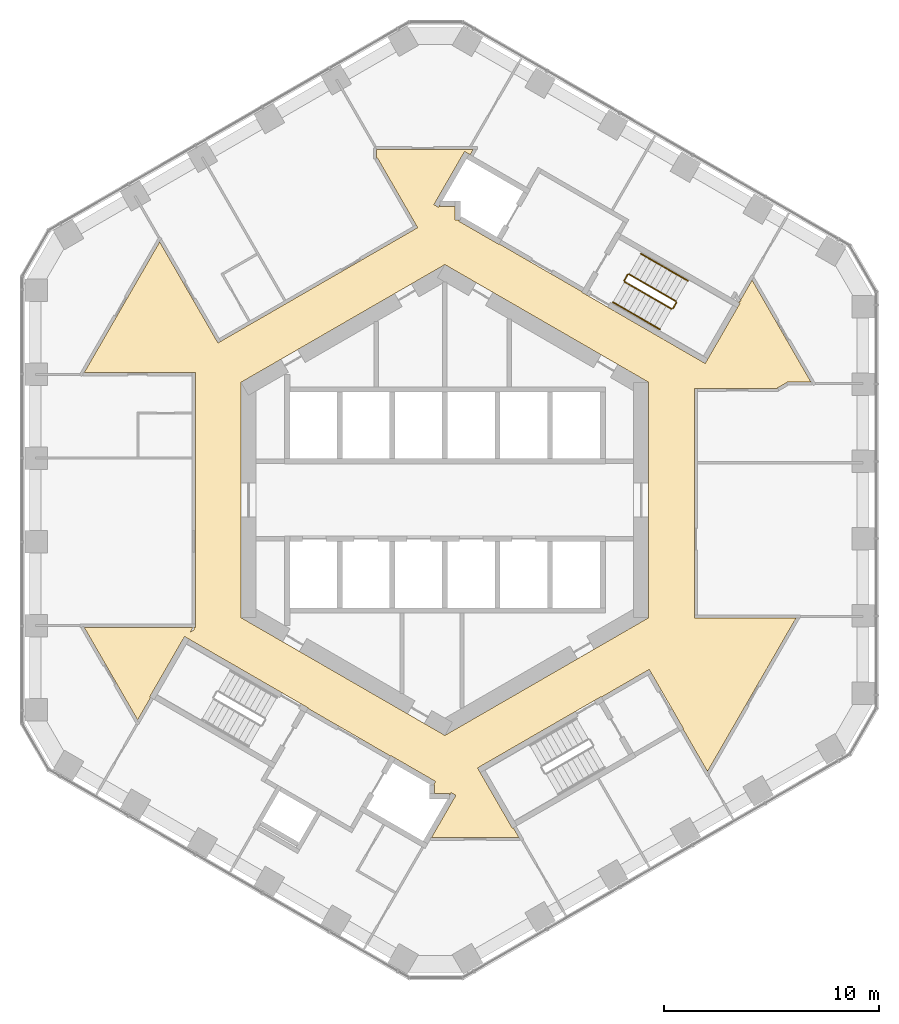
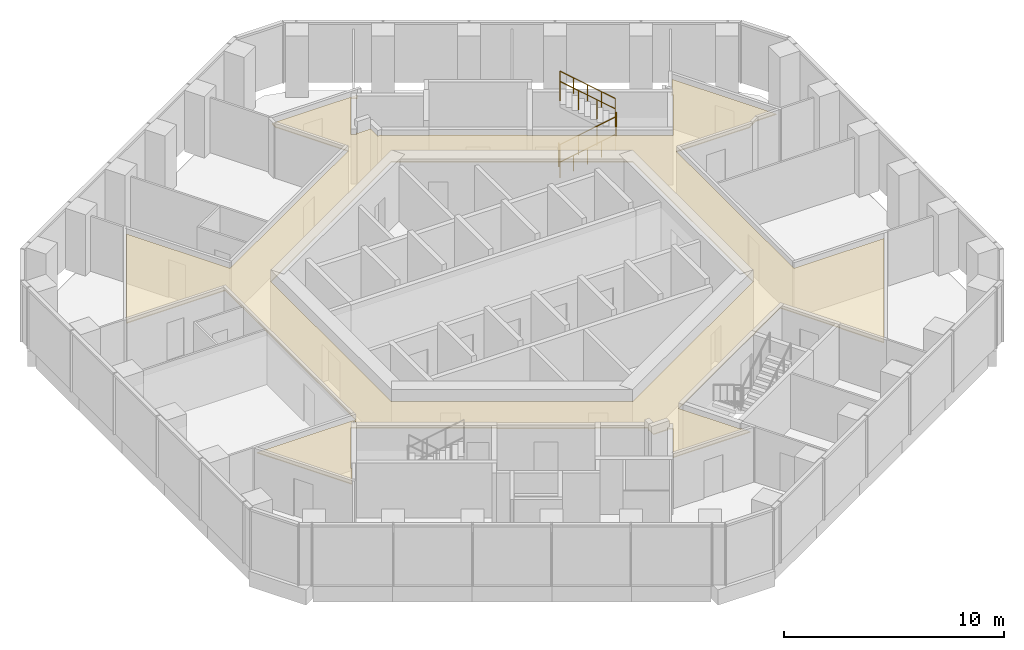
# One storey, part 19 of 19: 8 railings, 1 covering.
"""IFC4 building model written with IfcOpenShell, lengths in metres."""

from ifc_helpers import new_model, si_unit, direction, frame, origin, origin_2d, place, context, subcontext, project, spatial, polyline, circle, outline, extrude, material, layer, layer_set, type_object, element, save


model = new_model("IFC4")

# Units and contexts
model_context = context("Model", 3, precision=1e-05, world=origin(), true_north=direction((0.0, 1.0)))
body_context = subcontext(model_context, "Body", "Model", "MODEL_VIEW")
ifc_project = project(units=[si_unit("LENGTHUNIT", "METRE"), si_unit("AREAUNIT", "SQUARE_METRE"), si_unit("VOLUMEUNIT", "CUBIC_METRE"), si_unit("PLANEANGLEUNIT", "RADIAN"), si_unit("MASSUNIT", "GRAM", prefix="KILO")], contexts=[model_context])

# Site, building, storey
site_placement = place(None, origin())
site = spatial("IfcSite", under=ifc_project, at=site_placement, CompositionType="ELEMENT")
building_placement = place(site_placement, origin())
building = spatial("IfcBuilding", under=site, at=building_placement, Name="Ayvan Gate Tower", CompositionType="ELEMENT")
storey_placement = place(building_placement, frame((0.0, 0.0, 106.89990234375)))
storey = spatial("IfcBuildingStorey", under=building, at=storey_placement, Name="L28", CompositionType="ELEMENT", Elevation=106.89990234375)

# Covering
ifc_material_1 = material(Name="Plasterboard suspended ceiling")
ifc_layer = layer(ifc_material_1, 0.050048828125)
ifc_layer_set = layer_set([ifc_layer], Name="Plasterboard suspended ceiling")
covering_type = type_object("IfcCoveringType", Name="CT-SUSP-50", PredefinedType="CEILING", material=ifc_layer_set)
covering_placement = place(storey_placement, frame((0.0, 0.0, 2.7001953125)))
element("IfcCovering", 1, at=covering_placement, inside=storey, type_object=covering_type, Name="Ceiling Ring Corridor L28", PredefinedType="CEILING", context=body_context, shape_type="SweptSolid", body=[
    extrude(outline(polyline([(-11.914794921875, -6.48681640625), (-12.131103515625, -6.36181640625), (-13.756103515625, -9.17626953125), (-13.712890625, -9.201416015625), (-14.31591796875, -10.24609375), (-16.80810546875, -5.9296875), (-11.7373046875, -5.9296875), (-11.870849609375, -6.160888671875), (-11.699951171875, -6.062255859375), (-11.699951171875, -5.9296875), (-11.625, -5.9296875), (-11.625, 5.9296875), (-16.80810546875, 5.9296875), (-13.2900390625, 12.023193359375), (-10.573974609375, 7.318603515625), (-10.461181640625, 7.383544921875), (-1.267578125, 12.69140625), (-1.342529296875, 12.821533203125), (-3.1474609375, 15.947509765625), (-3.175048828125, 15.931884765625), (-3.175048828125, 16.322021484375), (1.311767578125, 16.322021484375), (1.1787109375, 16.091552734375), (1.135498046875, 16.116455078125), (0.918701171875, 16.241455078125), (-0.511474609375, 13.76416015625), (-0.294921875, 13.63916015625), (-0.215576171875, 13.776611328125), (-0.215576171875, 13.68505859375), (0.47509765625, 13.68505859375), (0.47509765625, 13.03857421875), (0.672119140625, 13.03857421875), (0.645751953125, 12.992919921875), (2.518310546875, 11.91162109375), (2.53076171875, 11.933349609375), (6.384521484375, 9.70849609375), (6.3720703125, 9.686767578125), (6.588623046875, 9.561767578125), (12.131103515625, 6.36181640625), (12.24609375, 6.56103515625), (13.631103515625, 8.959716796875), (13.756103515625, 9.176513671875), (13.681396484375, 9.219482421875), (13.7919921875, 9.283447265625), (13.744384765625, 9.365966796875), (13.7919921875, 9.33837890625), (14.31591796875, 10.24609375), (17.057373046875, 5.498046875), (15.934326171875, 5.498046875), (15.934326171875, 5.475830078125), (15.500732421875, 5.2255859375), (15.5166015625, 5.197998046875), (11.625, 5.197998046875), (11.625, -5.498046875), (16.364501953125, -5.498046875), (12.237548828125, -12.64599609375), (11.102294921875, -10.6796875), (11.123779296875, -10.667236328125), (9.623779296875, -8.069091796875), (9.52392578125, -7.89599609375), (7.2939453125, -9.183349609375), (7.281494140625, -9.16162109375), (1.522216796875, -12.48681640625), (1.647216796875, -12.703369140625), (3.147216796875, -15.30126953125), (3.190673828125, -15.2763671875), (3.447509765625, -15.720947265625), (-0.618408203125, -15.720947265625), (0.511474609375, -13.76416015625), (0.294921875, -13.63916015625), (0.215576171875, -13.776611328125), (0.215576171875, -13.68505859375), (-0.47509765625, -13.68505859375), (-0.47509765625, -13.28857421875), (-0.52783203125, -13.28857421875), (-0.42919921875, -13.117919921875), (-2.284423828125, -12.046630859375), (-2.518310546875, -11.91162109375), (-2.53076171875, -11.933349609375), (-6.384521484375, -9.70849609375), (-6.3720703125, -9.686767578125), (-11.91455078125, -6.48681640625), (-11.914794921875, -6.48681640625)]), holes=[polyline([(9.5, 5.48486328125), (8.771728515625, 5.9052734375), (0.0, 10.9697265625), (-8.771728515625, 5.9052734375), (-9.5, 5.48486328125), (-9.5, -5.48486328125), (-8.771728515625, -5.9052734375), (0.0, -10.9697265625), (8.38720703125, -6.127197265625), (8.771728515625, -5.9052734375), (9.5, -5.48486328125), (9.5, 5.48486328125)])]), origin(), (0.0, 0.0, 1.0), 0.0498046875),
])

# Railings
ifc_material_2 = material(Name="Stainless steel balustrade", Category="steel")
railing_type_1 = type_object("IfcRailingType", Name="RL-GUARD-1100", PredefinedType="GUARDRAIL", material=ifc_material_2)
railing_1_placement = place(storey_placement, frame((8.381103515625, 10.16650390625, 0.170166015625)))
element("IfcRailing", 2, at=railing_1_placement, inside=storey, type_object=railing_type_1, Name="L28 STS1 stair guard 1", PredefinedType="GUARDRAIL", context=body_context, shape_type="SweptSolid", body=[
    extrude(circle(Radius=0.02392578125, at=origin_2d()), frame((0.0, 0.0, 1.076171875), z_axis=(0.740261155115, -0.427395438142, 0.518986090067), x_axis=(0.500004791531, 0.866022637375, 0.0)), (0.0, 0.0, 1.0), 2.947998046875),
    extrude(circle(Radius=0.02099609375, at=origin_2d()), origin(), (0.0, 0.0, 1.0), 1.052001953125),
    extrude(circle(Radius=0.02099609375, at=origin_2d()), frame((0.7275390625, -0.419921875, 0.510009765625)), (0.0, 0.0, 1.0), 1.052001953125),
    extrude(circle(Radius=0.02099609375, at=origin_2d()), frame((1.454833984375, -0.840087890625, 1.02001953125)), (0.0, 0.0, 1.0), 1.052001953125),
    extrude(circle(Radius=0.02099609375, at=origin_2d()), frame((2.182373046875, -1.260009765625, 1.530029296875)), (0.0, 0.0, 1.0), 1.052001953125),
])
railing_2_placement = place(storey_placement, frame((10.6318359375, 8.9248046875, 1.7001953125)))
element("IfcRailing", 3, at=railing_2_placement, inside=storey, type_object=railing_type_1, Name="L28 STS1 stair guard 2", PredefinedType="GUARDRAIL", context=body_context, shape_type="SweptSolid", body=[
    extrude(circle(Radius=0.02392578125, at=origin_2d()), frame((0.0, 0.0, 1.076171875), z_axis=(0.499949632511, 0.866054481515, 0.0), x_axis=(-0.866054481515, 0.499949632511, 0.0)), (0.0, 0.0, 1.0), 0.31005859375),
    extrude(circle(Radius=0.02099609375, at=origin_2d()), origin(), (0.0, 0.0, 1.0), 1.052001953125),
    extrude(circle(Radius=0.02099609375, at=origin_2d()), frame((0.155029296875, 0.2685546875, 0.0)), (0.0, 0.0, 1.0), 1.052001953125),
])
railing_3_placement = place(storey_placement, frame((10.7685546875, 9.261474609375, 1.8701171875)))
element("IfcRailing", 4, at=railing_3_placement, inside=storey, type_object=railing_type_1, Name="L28 STS1 stair guard 3", PredefinedType="GUARDRAIL", context=body_context, shape_type="SweptSolid", body=[
    extrude(circle(Radius=0.02392578125, at=origin_2d()), frame((0.0, 0.0, 1.076171875), z_axis=(-0.740261155115, 0.427395438142, 0.518986090067), x_axis=(-0.500004791531, -0.866022637375, 0.0)), (0.0, 0.0, 1.0), 2.947998046875),
    extrude(circle(Radius=0.02099609375, at=origin_2d()), origin(), (0.0, 0.0, 1.0), 1.052001953125),
    extrude(circle(Radius=0.02099609375, at=origin_2d()), frame((-0.7275390625, 0.419921875, 0.510009765625)), (0.0, 0.0, 1.0), 1.052001953125),
    extrude(circle(Radius=0.02099609375, at=origin_2d()), frame((-1.454833984375, 0.840087890625, 1.02001953125)), (0.0, 0.0, 1.0), 1.052001953125),
    extrude(circle(Radius=0.02099609375, at=origin_2d()), frame((-2.182373046875, 1.260009765625, 1.530029296875)), (0.0, 0.0, 1.0), 1.052001953125),
])
railing_4_placement = place(storey_placement, frame((8.36279296875, 10.23486328125, 0.0)))
element("IfcRailing", 5, at=railing_4_placement, inside=storey, type_object=railing_type_1, Name="L28 STS1 stair guard 4", PredefinedType="GUARDRAIL", context=body_context, shape_type="SweptSolid", body=[
    extrude(circle(Radius=0.02392578125, at=origin_2d()), frame((0.0, 0.0, 1.076171875), z_axis=(0.500290723946, 0.86585748916, 0.0), x_axis=(-0.86585748916, 0.500290723946, 0.0)), (0.0, 0.0, 1.0), 0.309814453125),
    extrude(circle(Radius=0.02099609375, at=origin_2d()), origin(), (0.0, 0.0, 1.0), 1.052001953125),
    extrude(circle(Radius=0.02099609375, at=origin_2d()), frame((0.155029296875, 0.268310546875, 0.0)), (0.0, 0.0, 1.0), 1.052001953125),
])
railing_type_2 = type_object("IfcRailingType", Name="RL-HANDRAIL-900", PredefinedType="HANDRAIL", material=ifc_material_2)
railing_5_placement = place(storey_placement, frame((7.8310546875, 9.2138671875, 0.170166015625)))
element("IfcRailing", 6, at=railing_5_placement, inside=storey, type_object=railing_type_2, Name="L28 STS1 stair handrail 1", PredefinedType="HANDRAIL", context=body_context, shape_type="SweptSolid", body=[
    extrude(circle(Radius=0.02392578125, at=origin_2d()), frame((0.0, 0.0, 0.8759765625), z_axis=(0.740356597536, -0.427319915356, 0.518912129772), x_axis=(0.499890179513, 0.866088799389, 0.0)), (0.0, 0.0, 1.0), 1.47412109375),
    extrude(circle(Radius=0.02099609375, at=origin_2d()), origin(), (0.0, 0.0, 1.0), 0.851806640625),
    extrude(circle(Radius=0.02099609375, at=origin_2d()), frame((0.545654296875, -0.31494140625, 0.38232421875)), (0.0, 0.0, 1.0), 0.851806640625),
    extrude(circle(Radius=0.02099609375, at=origin_2d()), frame((1.09130859375, -0.6298828125, 0.764892578125)), (0.0, 0.0, 1.0), 0.851806640625),
])
railing_6_placement = place(storey_placement, frame((8.92236328125, 8.583984375, 0.93505859375)))
element("IfcRailing", 7, at=railing_6_placement, inside=storey, type_object=railing_type_2, Name="L28 STS1 stair handrail 2", PredefinedType="HANDRAIL", context=body_context, shape_type="SweptSolid", body=[
    extrude(circle(Radius=0.02392578125, at=origin_2d()), frame((0.0, 0.0, 0.8759765625), z_axis=(0.740165700939, -0.427470949681, 0.519060037311), x_axis=(0.50011940292, 0.865956455501, 0.0)), (0.0, 0.0, 1.0), 1.47412109375),
    extrude(circle(Radius=0.02099609375, at=origin_2d()), origin(), (0.0, 0.0, 1.0), 0.851806640625),
    extrude(circle(Radius=0.02099609375, at=origin_2d()), frame((0.54541015625, -0.31494140625, 0.382568359375)), (0.0, 0.0, 1.0), 0.851806640625),
    extrude(circle(Radius=0.02099609375, at=origin_2d()), frame((1.091064453125, -0.630126953125, 0.76513671875)), (0.0, 0.0, 1.0), 0.851806640625),
])
railing_7_placement = place(storey_placement, frame((11.318603515625, 10.214111328125, 1.8701171875)))
element("IfcRailing", 8, at=railing_7_placement, inside=storey, type_object=railing_type_2, Name="L28 STS1 stair handrail 3", PredefinedType="HANDRAIL", context=body_context, shape_type="SweptSolid", body=[
    extrude(circle(Radius=0.02392578125, at=origin_2d()), frame((0.0, 0.0, 0.8759765625), z_axis=(-0.740304193401, 0.427455284825, 0.518875399983), x_axis=(-0.500035496587, -0.86600490885, 0.0)), (0.0, 0.0, 1.0), 1.47412109375),
    extrude(circle(Radius=0.02099609375, at=origin_2d()), origin(), (0.0, 0.0, 1.0), 0.851806640625),
    extrude(circle(Radius=0.02099609375, at=origin_2d()), frame((-0.545654296875, 0.31494140625, 0.38232421875)), (0.0, 0.0, 1.0), 0.851806640625),
    extrude(circle(Radius=0.02099609375, at=origin_2d()), frame((-1.09130859375, 0.630126953125, 0.764892578125)), (0.0, 0.0, 1.0), 0.851806640625),
])
railing_8_placement = place(storey_placement, frame((10.227294921875, 10.84423828125, 2.635009765625)))
element("IfcRailing", 9, at=railing_8_placement, inside=storey, type_object=railing_type_2, Name="L28 STS1 stair handrail 4", PredefinedType="HANDRAIL", context=body_context, shape_type="SweptSolid", body=[
    extrude(circle(Radius=0.02392578125, at=origin_2d()), frame((0.0, 0.0, 0.8759765625), z_axis=(-0.740292964666, 0.42728318766, 0.519033143459), x_axis=(-0.499890179513, -0.866088799389, 0.0)), (0.0, 0.0, 1.0), 1.47412109375),
    extrude(circle(Radius=0.02099609375, at=origin_2d()), origin(), (0.0, 0.0, 1.0), 0.851806640625),
    extrude(circle(Radius=0.02099609375, at=origin_2d()), frame((-0.545654296875, 0.31494140625, 0.382568359375)), (0.0, 0.0, 1.0), 0.851806640625),
    extrude(circle(Radius=0.02099609375, at=origin_2d()), frame((-1.09130859375, 0.6298828125, 0.76513671875)), (0.0, 0.0, 1.0), 0.851806640625),
])

save(model, "model.ifc")
